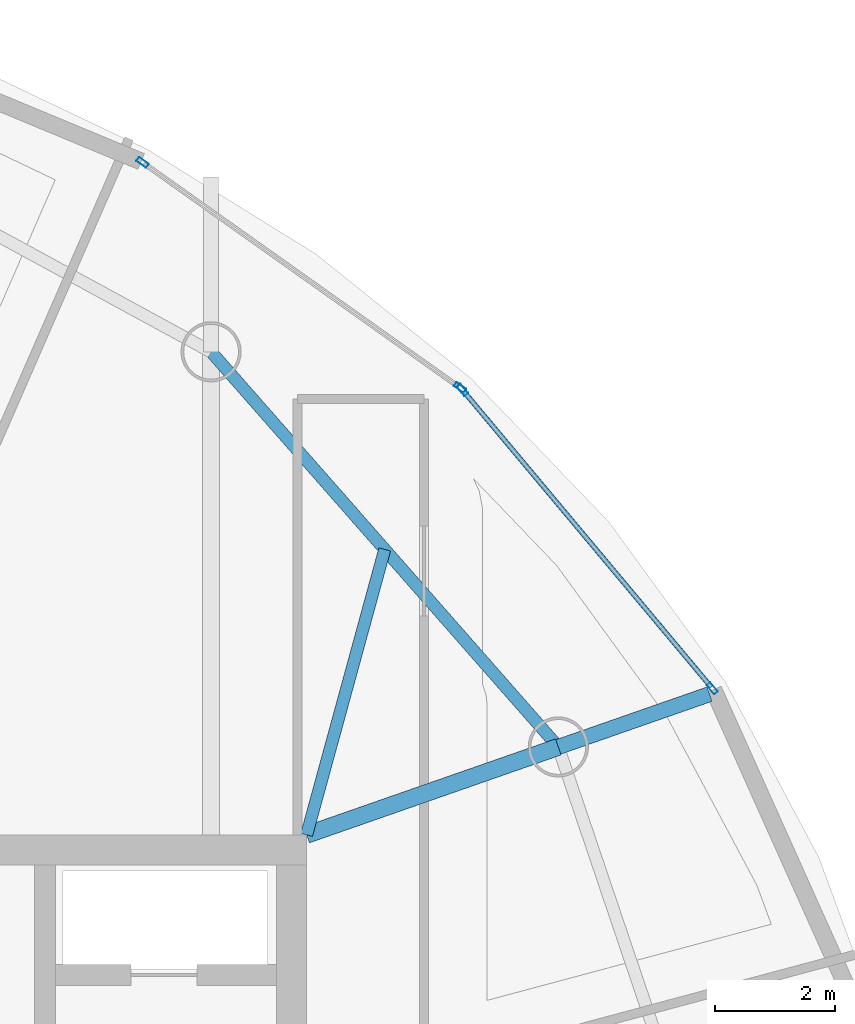
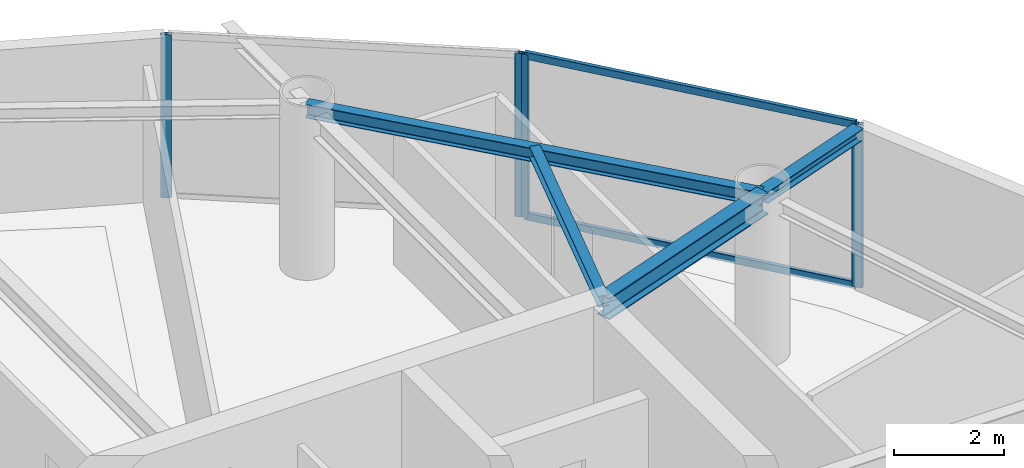
# One storey, part 10 of 17: 6 members, 4 beams, 2 elements without a shape of their own.
"""IFC4 building model written with IfcOpenShell, lengths in metres."""

from ifc_helpers import new_model, si_unit, direction, frame, origin, origin_2d, place, context, subcontext, project, spatial, hollow_rectangle, i_section, extrude, material, layer, layer_set, material_profile, profile_set, type_object, element, aggregate, save


model = new_model("IFC4")

# Units and contexts
model_context = context("Model", 3, precision=1e-05, world=origin(), true_north=direction((0.0, 1.0)))
body_context = subcontext(model_context, "Body", "Model", "MODEL_VIEW")
ifc_project = project(units=[si_unit("LENGTHUNIT", "METRE"), si_unit("AREAUNIT", "SQUARE_METRE"), si_unit("VOLUMEUNIT", "CUBIC_METRE"), si_unit("PLANEANGLEUNIT", "RADIAN"), si_unit("MASSUNIT", "GRAM", prefix="KILO")], contexts=[model_context])

# Site, building, storey
site_placement = place(None, origin())
site = spatial("IfcSite", under=ifc_project, at=site_placement, CompositionType="ELEMENT")
building_placement = place(site_placement, origin())
building = spatial("IfcBuilding", under=site, at=building_placement, Name="Bramvorn Convention Spire", CompositionType="ELEMENT")
storey_placement = place(building_placement, frame((0.0, 0.0, 265.14990234375)))
storey = spatial("IfcBuildingStorey", under=building, at=storey_placement, Name="L67", CompositionType="ELEMENT", Elevation=265.14990234375)

# Beams
ifc_material_1 = material(Name="Steel CSA G40.21 Grade 350 (350W)", Category="steel")
ifc_material_profile_1 = material_profile(ifc_material_1, i_section(OverallWidth=0.201904296875, OverallDepth=0.2470703125, WebThickness=0.00732421875, FlangeThickness=0.010986328125, FilletRadius=0.011962890625, at=origin_2d()))
ifc_profile_set_1 = profile_set([ifc_material_profile_1], Name="Steel CSA G40.21 Grade 350 (350W) - W250X49")
beam_type_1 = type_object("IfcBeamType", Name="BM-W250X49", PredefinedType="JOIST", material=ifc_profile_set_1)
beam_1_placement = place(storey_placement, frame((49.25, 33.449951171875, 3.501708984375), z_axis=(0.26386506219, 0.96455960363, 0.0), x_axis=(-0.96455960363, 0.26386506219, 0.0)))
element("IfcBeam", 1, at=beam_1_placement, inside=storey, type_object=beam_type_1, Name="L67 composite floor joist 05", PredefinedType="JOIST", context=body_context, shape_type="SweptSolid", body=[
    extrude(i_section(OverallWidth=0.201904296875, OverallDepth=0.2470703125, WebThickness=0.00732421875, FlangeThickness=0.010986328125, FilletRadius=0.011962890625, at=origin_2d()), origin(), (0.0, 0.0, 1.0), 4.917724609375),
])
ifc_material_profile_2 = material_profile(ifc_material_1, i_section(OverallWidth=0.25390625, OverallDepth=0.2529296875, WebThickness=0.008544921875, FlangeThickness=0.01416015625, FilletRadius=0.011962890625, at=origin_2d()))
ifc_profile_set_2 = profile_set([ifc_material_profile_2], Name="Steel CSA G40.21 Grade 350 (350W) - W250X73")
beam_type_2 = type_object("IfcBeamType", Name="BM-W250X73", PredefinedType="BEAM", material=ifc_profile_set_2)
beam_2_placement = place(storey_placement, frame((53.4326171875, 34.909912109375, 3.49853515625), z_axis=(0.944133861172, 0.329562212925, 0.0), x_axis=(-0.329562212925, 0.944133861172, 0.0)))
element("IfcBeam", 2, at=beam_2_placement, inside=storey, type_object=beam_type_2, Name="L67 slab-edge cantilever tip beam MC05", PredefinedType="BEAM", context=body_context, shape_type="SweptSolid", body=[
    extrude(i_section(OverallWidth=0.25390625, OverallDepth=0.2529296875, WebThickness=0.008544921875, FlangeThickness=0.01416015625, FilletRadius=0.011962890625, at=origin_2d()), origin(), (0.0, 0.0, 1.0), 2.6630859375),
])
ifc_material_profile_3 = material_profile(ifc_material_1, i_section(OverallWidth=0.202880859375, OverallDepth=0.302978515625, WebThickness=0.007568359375, FlangeThickness=0.01318359375, FilletRadius=0.013916015625, at=origin_2d()))
ifc_profile_set_3 = profile_set([ifc_material_profile_3], Name="Steel CSA G40.21 Grade 350 (350W) - W310X60")
beam_type_3 = type_object("IfcBeamType", Name="BM-W310X60", PredefinedType="JOIST", material=ifc_profile_set_3)
beam_3_placement = place(storey_placement, frame((53.4326171875, 34.909912109375, 3.4736328125), z_axis=(-0.660073062339, 0.751201405999, 0.0), x_axis=(-0.751201405999, -0.660073062339, 0.0)))
element("IfcBeam", 3, at=beam_3_placement, inside=storey, type_object=beam_type_3, Name="L67 mega-column ring beam 05", PredefinedType="JOIST", context=body_context, shape_type="SweptSolid", body=[
    extrude(i_section(OverallWidth=0.202880859375, OverallDepth=0.302978515625, WebThickness=0.007568359375, FlangeThickness=0.01318359375, FilletRadius=0.013916015625, at=origin_2d()), origin(), (0.0, 0.0, 1.0), 8.741943359375),
])
ifc_material_profile_4 = material_profile(ifc_material_1, i_section(OverallWidth=0.283935546875, OverallDepth=0.47607421875, WebThickness=0.014892578125, FlangeThickness=0.02392578125, FilletRadius=0.01806640625, at=origin_2d()))
ifc_profile_set_4 = profile_set([ifc_material_profile_4], Name="Steel CSA G40.21 Grade 350 (350W) - W460X158")
beam_type_4 = type_object("IfcBeamType", Name="BM-W460X158", PredefinedType="SPANDREL", material=ifc_profile_set_4)
beam_4_placement = place(storey_placement, frame((49.25, 33.449951171875, 3.38720703125), z_axis=(0.944136391877, 0.329554962843, 0.0), x_axis=(-0.329554962843, 0.944136391877, 0.0)))
element("IfcBeam", 4, at=beam_4_placement, inside=storey, type_object=beam_type_4, Name="L67 radial floor girder MC05", PredefinedType="SPANDREL", context=body_context, shape_type="SweptSolid", body=[
    extrude(i_section(OverallWidth=0.283935546875, OverallDepth=0.47607421875, WebThickness=0.014892578125, FlangeThickness=0.02392578125, FilletRadius=0.01806640625, at=origin_2d()), origin(), (0.0, 0.0, 1.0), 4.43017578125),
])

# Curtain wall, members
ifc_material_2 = material(Name="Anodised Bronze Unitised Curtain Wall", Category="aluminium")
ifc_layer = layer(ifc_material_2, 0.179931640625)
ifc_layer_set = layer_set([ifc_layer], Name="Anodised Bronze Unitised Curtain Wall - CW-OFF-FRIT")
curtain_wall_type = type_object("IfcCurtainWallType", Name="CW-OFF-FRIT", PredefinedType="USERDEFINED", material=ifc_layer_set)
curtain_wall_1_placement = place(storey_placement, origin())
curtain_wall_1 = element("IfcCurtainWall", 5, at=curtain_wall_1_placement, inside=storey, type_object=curtain_wall_type, Name="L67 fritted glass curtain wall 07", ObjectType="UNITISED CURTAIN WALL", PredefinedType="USERDEFINED")
ifc_material_3 = material(Name="Anodised Bronze Aluminium 6063-T6", Category="aluminium")
ifc_material_profile_5 = material_profile(ifc_material_3, hollow_rectangle(XDim=0.080078125, YDim=0.199951171875, WallThickness=0.00390625, InnerFilletRadius=0.0009765625, OuterFilletRadius=0.00390625, at=origin_2d()))
ifc_profile_set_5 = profile_set([ifc_material_profile_5], Name="Anodised Bronze Aluminium 6063-T6 - CWM80X200")
member_type_1 = type_object("IfcMemberType", Name="CW-MUL-180", PredefinedType="MULLION", material=ifc_profile_set_5)
member_1_placement = place(storey_placement, frame((51.8408203125, 40.842529296875, 0.0), z_axis=(0.0, 0.0, 1.0), x_axis=(0.766814141925, 0.64186920143, 0.0)))
member_1 = element("IfcMember", 6, at=member_1_placement, type_object=member_type_1, Name="CW3 mullion 1", PredefinedType="MULLION", context=body_context, shape_type="SweptSolid", body=[
    extrude(hollow_rectangle(XDim=0.080078125, YDim=0.199951171875, WallThickness=0.00390625, InnerFilletRadius=0.0009765625, OuterFilletRadius=0.00390625, at=origin_2d()), origin(), (0.0, 0.0, 1.0), 3.625),
])
member_2_placement = place(storey_placement, frame((55.99169921875, 35.883544921875, 0.0), z_axis=(0.0, 0.0, 1.0), x_axis=(0.766814141925, 0.64186920143, 0.0)))
member_2 = element("IfcMember", 7, at=member_2_placement, type_object=member_type_1, Name="CW3 mullion 2", PredefinedType="MULLION", context=body_context, shape_type="SweptSolid", body=[
    extrude(hollow_rectangle(XDim=0.080078125, YDim=0.199951171875, WallThickness=0.00390625, InnerFilletRadius=0.0009765625, OuterFilletRadius=0.00390625, at=origin_2d()), origin(), (0.0, 0.0, 1.0), 3.625),
])

curtain_wall_2_placement = place(storey_placement, origin())
curtain_wall_2 = element("IfcCurtainWall", 8, at=curtain_wall_2_placement, inside=storey, type_object=curtain_wall_type, Name="L67 fritted glass curtain wall 08", ObjectType="UNITISED CURTAIN WALL", PredefinedType="USERDEFINED")
member_3_placement = place(storey_placement, frame((46.5224609375, 44.623291015625, 0.0), z_axis=(0.0, 0.0, 1.0), x_axis=(0.578464926455, 0.81570725684, 0.0)))
member_3 = element("IfcMember", 9, at=member_3_placement, type_object=member_type_1, Name="CW3 mullion 1", PredefinedType="MULLION", context=body_context, shape_type="SweptSolid", body=[
    extrude(hollow_rectangle(XDim=0.080078125, YDim=0.199951171875, WallThickness=0.00390625, InnerFilletRadius=0.0009765625, OuterFilletRadius=0.00390625, at=origin_2d()), origin(), (0.0, 0.0, 1.0), 3.625),
])
member_4_placement = place(storey_placement, frame((51.797119140625, 40.8828125, 0.0), z_axis=(0.0, 0.0, 1.0), x_axis=(0.578464926455, 0.81570725684, 0.0)))
member_4 = element("IfcMember", 10, at=member_4_placement, type_object=member_type_1, Name="CW3 mullion 2", PredefinedType="MULLION", context=body_context, shape_type="SweptSolid", body=[
    extrude(hollow_rectangle(XDim=0.080078125, YDim=0.199951171875, WallThickness=0.00390625, InnerFilletRadius=0.0009765625, OuterFilletRadius=0.00390625, at=origin_2d()), origin(), (0.0, 0.0, 1.0), 3.625),
])
aggregate(curtain_wall_2, [member_3, member_4])

# Member
ifc_material_profile_6 = material_profile(ifc_material_3, hollow_rectangle(XDim=0.080078125, YDim=0.159912109375, WallThickness=0.00390625, InnerFilletRadius=0.0009765625, OuterFilletRadius=0.00390625, at=origin_2d()))
ifc_profile_set_6 = profile_set([ifc_material_profile_6], Name="Anodised Bronze Aluminium 6063-T6 - CWT80X160")
member_type_2 = type_object("IfcMemberType", Name="CW-TRN-150", PredefinedType="USERDEFINED", material=ifc_profile_set_6)
member_5_placement = place(storey_placement, frame((51.860107421875, 40.819580078125, 0.030029296875), z_axis=(0.64184704082, -0.766832691134, 0.0), x_axis=(0.766832691134, 0.64184704082, 0.0)))
member_5 = element("IfcMember", 11, at=member_5_placement, type_object=member_type_2, Name="CW3 transom 1.1", ObjectType="TRANSOM", PredefinedType="USERDEFINED", context=body_context, shape_type="SweptSolid", body=[
    extrude(hollow_rectangle(XDim=0.080078125, YDim=0.159912109375, WallThickness=0.00390625, InnerFilletRadius=0.0009765625, OuterFilletRadius=0.00390625, at=origin_2d()), origin(), (0.0, 0.0, 1.0), 6.406982421875),
])

member_6_placement = place(storey_placement, frame((51.860107421875, 40.819580078125, 3.59521484375), z_axis=(0.64184704082, -0.766832691134, 0.0), x_axis=(0.766832691134, 0.64184704082, 0.0)))
member_6 = element("IfcMember", 12, at=member_6_placement, type_object=member_type_2, Name="CW3 transom 1.2", ObjectType="TRANSOM", PredefinedType="USERDEFINED", context=body_context, shape_type="SweptSolid", body=[
    extrude(hollow_rectangle(XDim=0.080078125, YDim=0.159912109375, WallThickness=0.00390625, InnerFilletRadius=0.0009765625, OuterFilletRadius=0.00390625, at=origin_2d()), origin(), (0.0, 0.0, 1.0), 6.406982421875),
])

aggregate(curtain_wall_1, [member_1, member_2, member_5, member_6])

save(model, "model.ifc")
